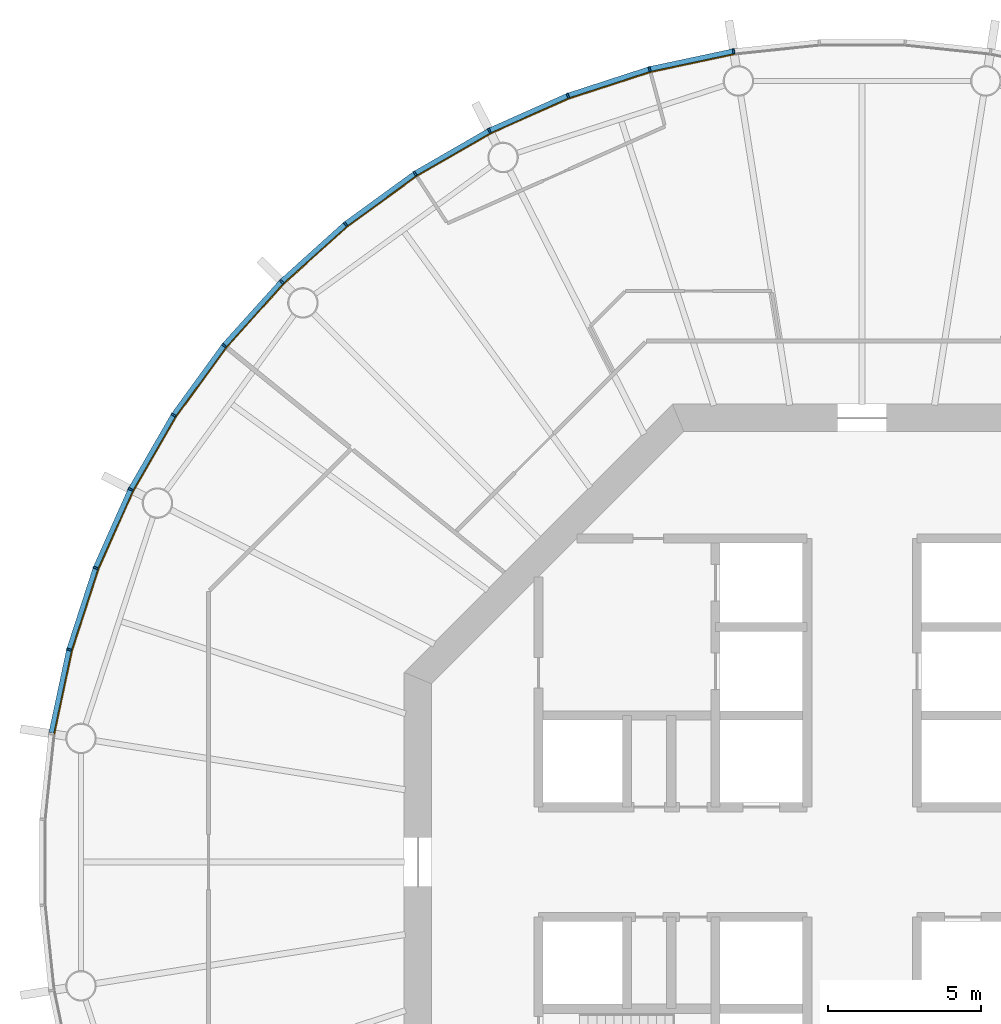
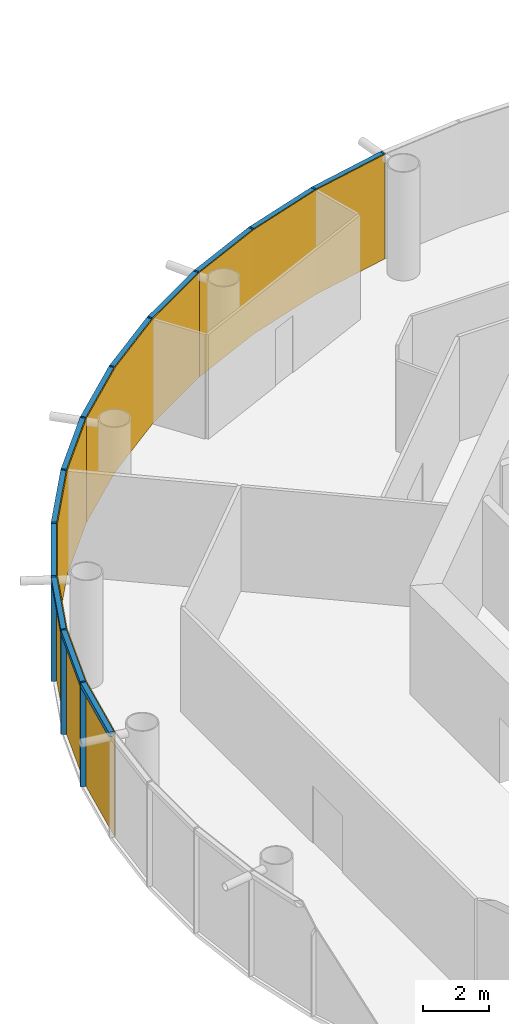
# One storey, part 9 of 12: 24 members, 4 curtain walls.
"""IFC4 building model written with IfcOpenShell, lengths in metres."""

from ifc_helpers import new_model, si_unit, direction, frame, origin, origin_2d, place, context, subcontext, project, spatial, polyline, rectangle, outline, extrude, material, layer, layer_set, material_profile, profile_set, type_object, element, aggregate, save


model = new_model("IFC4")

# Units and contexts
model_context = context("Model", 3, precision=1e-05, world=origin(), true_north=direction((0.0, 1.0)))
body_context = subcontext(model_context, "Body", "Model", "MODEL_VIEW")
ifc_project = project(units=[si_unit("LENGTHUNIT", "METRE"), si_unit("AREAUNIT", "SQUARE_METRE"), si_unit("VOLUMEUNIT", "CUBIC_METRE"), si_unit("PLANEANGLEUNIT", "RADIAN"), si_unit("MASSUNIT", "GRAM", prefix="KILO")], contexts=[model_context])

# Member
ifc_material_1 = material(Name="Anodised aluminium", Category="aluminium")
ifc_material_profile_1 = material_profile(ifc_material_1, rectangle(XDim=0.06005859375, YDim=0.169921875, at=origin_2d()), Name="Mullion 60 x 170 mm anodised aluminium")
ifc_profile_set_1 = profile_set([ifc_material_profile_1], Name="Anodised aluminium")
member_type_1 = type_object("IfcMemberType", Name="Mullion 60 x 170 mm anodised aluminium", PredefinedType="MULLION", material=ifc_profile_set_1)
site_placement = place(None, origin())
building_placement = place(site_placement, origin())
storey_placement = place(building_placement, frame((0.0, 0.0, 214.0)))
member_1_placement = place(storey_placement, frame((85.794189453125, 106.553955078125, 0.0), z_axis=(0.0, 0.0, 1.0), x_axis=(-0.987688340595, -0.15643446504, 0.0)))
member_1 = element("IfcMember", 1, at=member_1_placement, type_object=member_type_1, Name="MULLION L49-15", PredefinedType="MULLION", context=body_context, shape_type="SweptSolid", body=[
    extrude(rectangle(XDim=0.06005859375, YDim=0.169921875, at=origin_2d()), origin(), (0.0, 0.0, 1.0), 3.85009765625),
])

member_2_placement = place(storey_placement, frame((83.041748046875, 105.968994140625, 0.0), z_axis=(0.0, 0.0, 1.0), x_axis=(-0.965925826289, -0.258819045103, 0.0)))
member_2 = element("IfcMember", 2, at=member_2_placement, type_object=member_type_1, Name="MULLION L49-16", PredefinedType="MULLION", context=body_context, shape_type="SweptSolid", body=[
    extrude(rectangle(XDim=0.06005859375, YDim=0.169921875, at=origin_2d()), origin(), (0.0, 0.0, 1.0), 3.85009765625),
])

member_3_placement = place(storey_placement, frame((80.365234375, 105.099365234375, 0.0), z_axis=(0.0, 0.0, 1.0), x_axis=(-0.933580426497, -0.358367949545, 0.0)))
member_3 = element("IfcMember", 3, at=member_3_placement, type_object=member_type_1, Name="MULLION L49-17", PredefinedType="MULLION", context=body_context, shape_type="SweptSolid", body=[
    extrude(rectangle(XDim=0.06005859375, YDim=0.169921875, at=origin_2d()), origin(), (0.0, 0.0, 1.0), 3.85009765625),
])

member_4_placement = place(storey_placement, frame((77.79443359375, 103.95458984375, 0.0), z_axis=(0.0, 0.0, 1.0), x_axis=(-0.891006524188, -0.45399049974, 0.0)))
member_4 = element("IfcMember", 4, at=member_4_placement, type_object=member_type_1, Name="MULLION L49-18", PredefinedType="MULLION", context=body_context, shape_type="SweptSolid", body=[
    extrude(rectangle(XDim=0.06005859375, YDim=0.169921875, at=origin_2d()), origin(), (0.0, 0.0, 1.0), 3.85009765625),
])

member_5_placement = place(storey_placement, frame((75.357421875, 102.547607421875, 0.0), z_axis=(0.0, 0.0, 1.0), x_axis=(-0.838670567945, -0.544639035015, 0.0)))
member_5 = element("IfcMember", 5, at=member_5_placement, type_object=member_type_1, Name="MULLION L49-19", PredefinedType="MULLION", context=body_context, shape_type="SweptSolid", body=[
    extrude(rectangle(XDim=0.06005859375, YDim=0.169921875, at=origin_2d()), origin(), (0.0, 0.0, 1.0), 3.85009765625),
])

member_6_placement = place(storey_placement, frame((73.080810546875, 100.8935546875, 0.0), z_axis=(0.0, 0.0, 1.0), x_axis=(-0.777145961457, -0.62932039105, 0.0)))
member_6 = element("IfcMember", 6, at=member_6_placement, type_object=member_type_1, Name="MULLION L49-20", PredefinedType="MULLION", context=body_context, shape_type="SweptSolid", body=[
    extrude(rectangle(XDim=0.06005859375, YDim=0.169921875, at=origin_2d()), origin(), (0.0, 0.0, 1.0), 3.85009765625),
])

member_7_placement = place(storey_placement, frame((70.989501953125, 99.010498046875, 0.0), z_axis=(0.0, 0.0, 1.0), x_axis=(-0.707106781187, -0.707106781187, 0.0)))
member_7 = element("IfcMember", 7, at=member_7_placement, type_object=member_type_1, Name="MULLION L49-21", PredefinedType="MULLION", context=body_context, shape_type="SweptSolid", body=[
    extrude(rectangle(XDim=0.06005859375, YDim=0.169921875, at=origin_2d()), origin(), (0.0, 0.0, 1.0), 3.85009765625),
])

member_8_placement = place(storey_placement, frame((69.1064453125, 96.919189453125, 0.0), z_axis=(0.0, 0.0, 1.0), x_axis=(-0.62932039105, -0.777145961457, 0.0)))
member_8 = element("IfcMember", 8, at=member_8_placement, type_object=member_type_1, Name="MULLION L49-22", PredefinedType="MULLION", context=body_context, shape_type="SweptSolid", body=[
    extrude(rectangle(XDim=0.06005859375, YDim=0.169921875, at=origin_2d()), origin(), (0.0, 0.0, 1.0), 3.85009765625),
])

member_9_placement = place(storey_placement, frame((67.452392578125, 94.642578125, 0.0), z_axis=(0.0, 0.0, 1.0), x_axis=(-0.544639035015, -0.838670567945, 0.0)))
member_9 = element("IfcMember", 9, at=member_9_placement, type_object=member_type_1, Name="MULLION L49-23", PredefinedType="MULLION", context=body_context, shape_type="SweptSolid", body=[
    extrude(rectangle(XDim=0.06005859375, YDim=0.169921875, at=origin_2d()), origin(), (0.0, 0.0, 1.0), 3.85009765625),
])

member_10_placement = place(storey_placement, frame((66.04541015625, 92.20556640625, 0.0), z_axis=(0.0, 0.0, 1.0), x_axis=(-0.45399049974, -0.891006524188, 0.0)))
member_10 = element("IfcMember", 10, at=member_10_placement, type_object=member_type_1, Name="MULLION L49-24", PredefinedType="MULLION", context=body_context, shape_type="SweptSolid", body=[
    extrude(rectangle(XDim=0.06005859375, YDim=0.169921875, at=origin_2d()), origin(), (0.0, 0.0, 1.0), 3.85009765625),
])

member_11_placement = place(storey_placement, frame((64.900634765625, 89.634765625, 0.0), z_axis=(0.0, 0.0, 1.0), x_axis=(-0.358367949545, -0.933580426497, 0.0)))
member_11 = element("IfcMember", 11, at=member_11_placement, type_object=member_type_1, Name="MULLION L49-25", PredefinedType="MULLION", context=body_context, shape_type="SweptSolid", body=[
    extrude(rectangle(XDim=0.06005859375, YDim=0.169921875, at=origin_2d()), origin(), (0.0, 0.0, 1.0), 3.85009765625),
])

member_12_placement = place(storey_placement, frame((64.031005859375, 86.958251953125, 0.0), z_axis=(0.0, 0.0, 1.0), x_axis=(-0.258819045103, -0.965925826289, 0.0)))
member_12 = element("IfcMember", 12, at=member_12_placement, type_object=member_type_1, Name="MULLION L49-26", PredefinedType="MULLION", context=body_context, shape_type="SweptSolid", body=[
    extrude(rectangle(XDim=0.06005859375, YDim=0.169921875, at=origin_2d()), origin(), (0.0, 0.0, 1.0), 3.85009765625),
])

ifc_material_2 = material(Name="Anodised aluminium", Category="aluminium")
ifc_material_profile_2 = material_profile(ifc_material_2, rectangle(XDim=0.169921875, YDim=0.1650390625, at=origin_2d()), Name="Transom 165 x 170 mm anodised aluminium")
ifc_profile_set_2 = profile_set([ifc_material_profile_2], Name="Anodised aluminium")
member_type_2 = type_object("IfcMemberType", Name="Transom 165 x 170 mm anodised aluminium", PredefinedType="USERDEFINED", material=ifc_profile_set_2)
member_13_placement = place(storey_placement, frame((85.760498046875, 106.546875, 3.767578125), z_axis=(-0.97814212115, -0.207937468562, 0.0), x_axis=(0.207937468562, -0.97814212115, 0.0)))
member_13 = element("IfcMember", 13, at=member_13_placement, type_object=member_type_2, Name="TRANSOM L49-15", ObjectType="TRANSOM", PredefinedType="USERDEFINED", context=body_context, shape_type="SweptSolid", body=[
    extrude(rectangle(XDim=0.169921875, YDim=0.1650390625, at=origin_2d()), origin(), (0.0, 0.0, 1.0), 2.7451171875),
])

member_14_placement = place(storey_placement, frame((83.0087890625, 105.95849609375, 3.767578125), z_axis=(-0.951048445774, -0.309041831781, 0.0), x_axis=(0.309041831781, -0.951048445774, 0.0)))
member_14 = element("IfcMember", 14, at=member_14_placement, type_object=member_type_2, Name="TRANSOM L49-16", ObjectType="TRANSOM", PredefinedType="USERDEFINED", context=body_context, shape_type="SweptSolid", body=[
    extrude(rectangle(XDim=0.169921875, YDim=0.1650390625, at=origin_2d()), origin(), (0.0, 0.0, 1.0), 2.7451171875),
])

member_15_placement = place(storey_placement, frame((80.333740234375, 105.08544921875, 3.767578125), z_axis=(-0.913525267704, -0.406781987391, 0.0), x_axis=(0.406781987391, -0.913525267704, 0.0)))
member_15 = element("IfcMember", 15, at=member_15_placement, type_object=member_type_2, Name="TRANSOM L49-17", ObjectType="TRANSOM", PredefinedType="USERDEFINED", context=body_context, shape_type="SweptSolid", body=[
    extrude(rectangle(XDim=0.169921875, YDim=0.1650390625, at=origin_2d()), origin(), (0.0, 0.0, 1.0), 2.7451171875),
])

member_16_placement = place(storey_placement, frame((77.7646484375, 103.9375, 3.767578125), z_axis=(-0.866034527326, -0.49998419723, 0.0), x_axis=(0.49998419723, -0.866034527326, 0.0)))
member_16 = element("IfcMember", 16, at=member_16_placement, type_object=member_type_2, Name="TRANSOM L49-18", ObjectType="TRANSOM", PredefinedType="USERDEFINED", context=body_context, shape_type="SweptSolid", body=[
    extrude(rectangle(XDim=0.169921875, YDim=0.1650390625, at=origin_2d()), origin(), (0.0, 0.0, 1.0), 2.7451171875),
])

member_17_placement = place(storey_placement, frame((75.329345703125, 102.527587890625, 3.767578125), z_axis=(-0.808959086484, -0.587864947412, 0.0), x_axis=(0.587864947412, -0.808959086484, 0.0)))
member_17 = element("IfcMember", 17, at=member_17_placement, type_object=member_type_2, Name="TRANSOM L49-19", ObjectType="TRANSOM", PredefinedType="USERDEFINED", context=body_context, shape_type="SweptSolid", body=[
    extrude(rectangle(XDim=0.169921875, YDim=0.1650390625, at=origin_2d()), origin(), (0.0, 0.0, 1.0), 2.7451171875),
])

member_18_placement = place(storey_placement, frame((73.054931640625, 100.87060546875, 3.767578125), z_axis=(-0.743134927907, -0.669141598561, 0.0), x_axis=(0.669141598561, -0.743134927907, 0.0)))
member_18 = element("IfcMember", 18, at=member_18_placement, type_object=member_type_2, Name="TRANSOM L49-20", ObjectType="TRANSOM", PredefinedType="USERDEFINED", context=body_context, shape_type="SweptSolid", body=[
    extrude(rectangle(XDim=0.169921875, YDim=0.1650390625, at=origin_2d()), origin(), (0.0, 0.0, 1.0), 2.7451171875),
])

member_19_placement = place(storey_placement, frame((70.96630859375, 98.985107421875, 3.767578125), z_axis=(-0.669141598561, -0.743134927907, 0.0), x_axis=(0.743134927907, -0.669141598561, 0.0)))
member_19 = element("IfcMember", 19, at=member_19_placement, type_object=member_type_2, Name="TRANSOM L49-21", ObjectType="TRANSOM", PredefinedType="USERDEFINED", context=body_context, shape_type="SweptSolid", body=[
    extrude(rectangle(XDim=0.169921875, YDim=0.1650390625, at=origin_2d()), origin(), (0.0, 0.0, 1.0), 2.7451171875),
])

member_20_placement = place(storey_placement, frame((69.086181640625, 96.891357421875, 3.767578125), z_axis=(-0.587864947412, -0.808959086484, 0.0), x_axis=(0.808959086484, -0.587864947412, 0.0)))
member_20 = element("IfcMember", 20, at=member_20_placement, type_object=member_type_2, Name="TRANSOM L49-22", ObjectType="TRANSOM", PredefinedType="USERDEFINED", context=body_context, shape_type="SweptSolid", body=[
    extrude(rectangle(XDim=0.169921875, YDim=0.1650390625, at=origin_2d()), origin(), (0.0, 0.0, 1.0), 2.7451171875),
])

member_21_placement = place(storey_placement, frame((67.43505859375, 94.61279296875, 3.767578125), z_axis=(-0.49998419723, -0.866034527326, 0.0), x_axis=(0.866034527326, -0.49998419723, 0.0)))
member_21 = element("IfcMember", 21, at=member_21_placement, type_object=member_type_2, Name="TRANSOM L49-23", ObjectType="TRANSOM", PredefinedType="USERDEFINED", context=body_context, shape_type="SweptSolid", body=[
    extrude(rectangle(XDim=0.169921875, YDim=0.1650390625, at=origin_2d()), origin(), (0.0, 0.0, 1.0), 2.7451171875),
])

member_22_placement = place(storey_placement, frame((66.03125, 92.174072265625, 3.767578125), z_axis=(-0.406781987391, -0.913525267704, 0.0), x_axis=(0.913525267704, -0.406781987391, 0.0)))
member_22 = element("IfcMember", 22, at=member_22_placement, type_object=member_type_2, Name="TRANSOM L49-24", ObjectType="TRANSOM", PredefinedType="USERDEFINED", context=body_context, shape_type="SweptSolid", body=[
    extrude(rectangle(XDim=0.169921875, YDim=0.1650390625, at=origin_2d()), origin(), (0.0, 0.0, 1.0), 2.7451171875),
])

member_23_placement = place(storey_placement, frame((64.889892578125, 89.60205078125, 3.767578125), z_axis=(-0.309041831781, -0.951048445774, 0.0), x_axis=(0.951048445774, -0.309041831781, 0.0)))
member_23 = element("IfcMember", 23, at=member_23_placement, type_object=member_type_2, Name="TRANSOM L49-25", ObjectType="TRANSOM", PredefinedType="USERDEFINED", context=body_context, shape_type="SweptSolid", body=[
    extrude(rectangle(XDim=0.169921875, YDim=0.1650390625, at=origin_2d()), origin(), (0.0, 0.0, 1.0), 2.7451171875),
])

member_24_placement = place(storey_placement, frame((64.02392578125, 86.924560546875, 3.767578125), z_axis=(-0.207937468562, -0.97814212115, 0.0), x_axis=(0.97814212115, -0.207937468562, 0.0)))
member_24 = element("IfcMember", 24, at=member_24_placement, type_object=member_type_2, Name="TRANSOM L49-26", ObjectType="TRANSOM", PredefinedType="USERDEFINED", context=body_context, shape_type="SweptSolid", body=[
    extrude(rectangle(XDim=0.169921875, YDim=0.1650390625, at=origin_2d()), origin(), (0.0, 0.0, 1.0), 2.7451171875),
])

# Site, building, storey
site = spatial("IfcSite", under=ifc_project, at=site_placement, CompositionType="ELEMENT")
building = spatial("IfcBuilding", under=site, at=building_placement, Name="Entoto Ring Tower", CompositionType="ELEMENT")
storey = spatial("IfcBuildingStorey", under=building, at=storey_placement, Name="L49", CompositionType="ELEMENT", Elevation=214.0)

# Curtain wall
ifc_material_3 = material(Name="Clear low-iron glass", Category="glass")
ifc_layer = layer(ifc_material_3, 0.031982421875)
ifc_layer_set = layer_set([ifc_layer], Name="Clear low-iron glass")
curtain_wall_type = type_object("IfcCurtainWallType", Name="Curtain wall system CW4 glazing 32 mm", PredefinedType="NOTDEFINED", material=ifc_layer_set)
curtain_wall_1_placement = place(storey_placement, origin())
curtain_wall_1 = element("IfcCurtainWall", 25, at=curtain_wall_1_placement, inside=storey, type_object=curtain_wall_type, Name="CW4 L49-06", PredefinedType="NOTDEFINED", context=body_context, shape_type="SweptSolid", body=[
    extrude(outline(polyline([(85.8076171875, 106.469970703125), (83.063720703125, 105.88671875), (80.395751953125, 105.02001953125), (77.8330078125, 103.87890625), (77.84765625, 103.850341796875), (80.4072265625, 104.989990234375), (83.072021484375, 105.85595703125), (85.8125, 106.4384765625), (85.8076171875, 106.469970703125)])), origin(), (0.0, 0.0, 1.0), 3.85009765625),
])

aggregate(curtain_wall_1, [member_1, member_2, member_3, member_13, member_14, member_15])

curtain_wall_2_placement = place(storey_placement, origin())
curtain_wall_2 = element("IfcCurtainWall", 26, at=curtain_wall_2_placement, inside=storey, type_object=curtain_wall_type, Name="CW4 L49-07", PredefinedType="NOTDEFINED", context=body_context, shape_type="SweptSolid", body=[
    extrude(outline(polyline([(77.8330078125, 103.87890625), (75.403564453125, 102.476318359375), (73.13427734375, 100.827392578125), (71.049560546875, 98.950439453125), (71.072265625, 98.927734375), (73.154296875, 100.802490234375), (75.421142578125, 102.449462890625), (77.84765625, 103.850341796875), (77.8330078125, 103.87890625)])), origin(), (0.0, 0.0, 1.0), 3.85009765625),
])

aggregate(curtain_wall_2, [member_4, member_5, member_6, member_16, member_17, member_18])

curtain_wall_3_placement = place(storey_placement, origin())
curtain_wall_3 = element("IfcCurtainWall", 27, at=curtain_wall_3_placement, inside=storey, type_object=curtain_wall_type, Name="CW4 L49-08", PredefinedType="NOTDEFINED", context=body_context, shape_type="SweptSolid", body=[
    extrude(outline(polyline([(71.049560546875, 98.950439453125), (69.172607421875, 96.86572265625), (67.523681640625, 94.596435546875), (66.12109375, 92.1669921875), (66.149658203125, 92.15234375), (67.550537109375, 94.578857421875), (69.197509765625, 96.845703125), (71.072265625, 98.927734375), (71.049560546875, 98.950439453125)])), origin(), (0.0, 0.0, 1.0), 3.85009765625),
])

aggregate(curtain_wall_3, [member_7, member_8, member_9, member_19, member_20, member_21])

curtain_wall_4_placement = place(storey_placement, origin())
curtain_wall_4 = element("IfcCurtainWall", 28, at=curtain_wall_4_placement, inside=storey, type_object=curtain_wall_type, Name="CW4 L49-09", PredefinedType="NOTDEFINED", context=body_context, shape_type="SweptSolid", body=[
    extrude(outline(polyline([(66.12109375, 92.1669921875), (64.97998046875, 89.604248046875), (64.11328125, 86.936279296875), (63.530029296875, 84.1923828125), (63.5615234375, 84.1875), (64.14404296875, 86.927978515625), (65.010009765625, 89.5927734375), (66.149658203125, 92.15234375), (66.12109375, 92.1669921875)])), origin(), (0.0, 0.0, 1.0), 3.85009765625),
])

aggregate(curtain_wall_4, [member_10, member_11, member_12, member_22, member_23, member_24])

save(model, "model.ifc")
